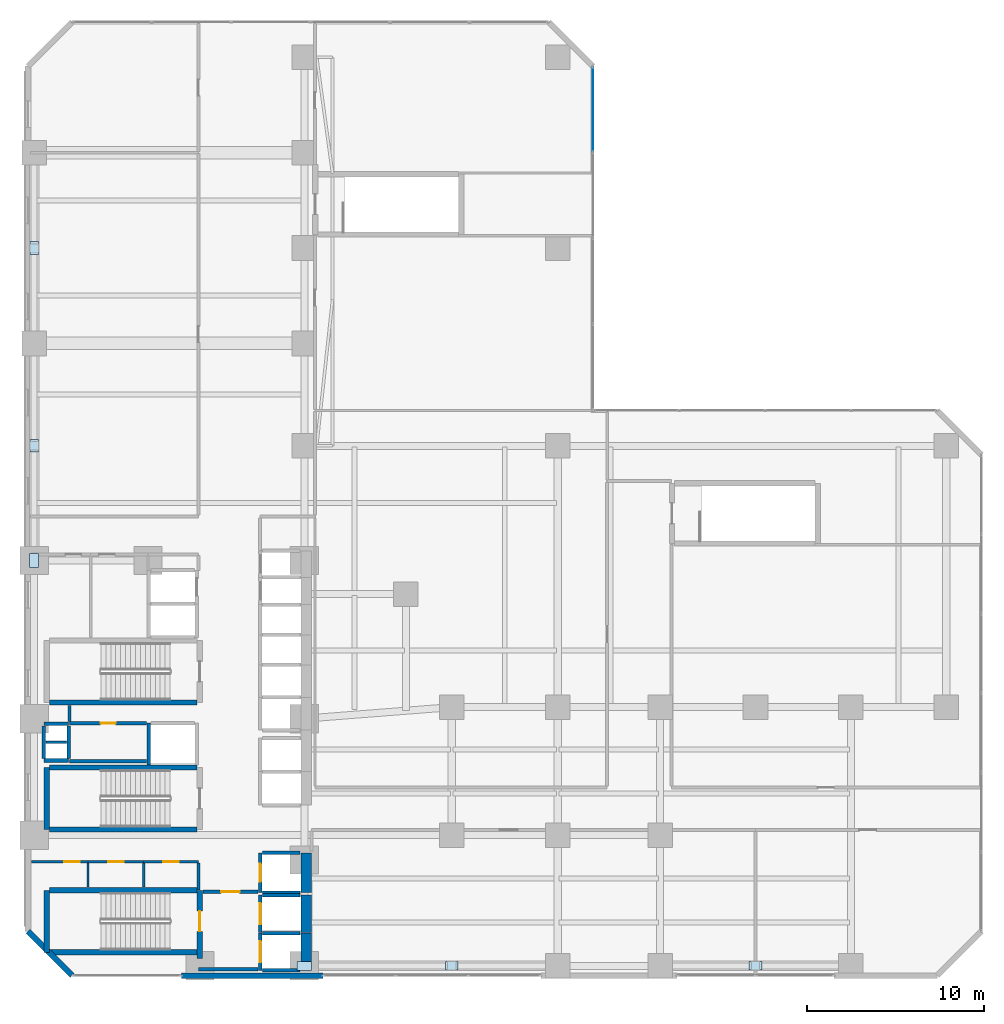
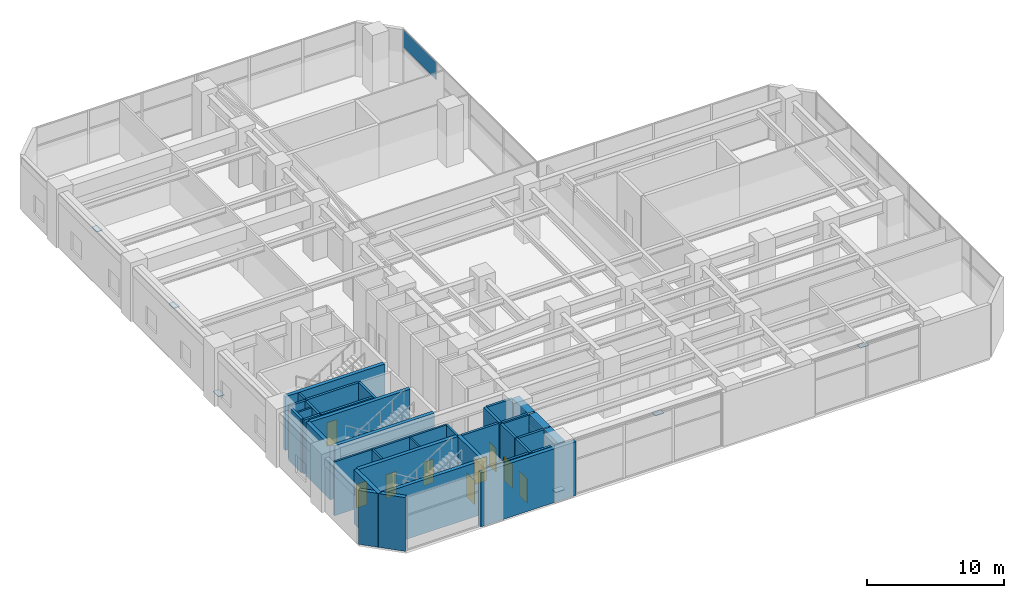
# One storey, part 22 of 29: 38 walls, 9 doors, 7 plates, 9 openings, 1 element without a shape of its own.
"""IFC4 building model written with IfcOpenShell, lengths in metres."""

from ifc_helpers import new_model, si_unit, direction, frame, frame_2d, origin, origin_2d, place, context, subcontext, project, spatial, rectangle, extrude, material, layer, layer_set, type_object, element, fill, aggregate, save


model = new_model("IFC4")

# Units and contexts
model_context = context("Model", 3, precision=1e-05, world=origin(), true_north=direction((0.0, 1.0)))
body_context = subcontext(model_context, "Body", "Model", "MODEL_VIEW")
ifc_project = project(units=[si_unit("LENGTHUNIT", "METRE"), si_unit("AREAUNIT", "SQUARE_METRE"), si_unit("VOLUMEUNIT", "CUBIC_METRE"), si_unit("PLANEANGLEUNIT", "RADIAN"), si_unit("MASSUNIT", "GRAM", prefix="KILO")], contexts=[model_context])

# Site, building, storey
site_placement = place(None, origin())
site = spatial("IfcSite", under=ifc_project, at=site_placement, CompositionType="ELEMENT")
building_placement = place(site_placement, origin())
building = spatial("IfcBuilding", under=site, at=building_placement, Name="Mawjaban Terraces University", CompositionType="ELEMENT")
storey_placement = place(building_placement, frame((0.0, 0.0, 20.800048828125)))
storey = spatial("IfcBuildingStorey", under=building, at=storey_placement, Name="L04", CompositionType="ELEMENT", Elevation=20.800048828125)

# Plates
ifc_material_1 = material(Name="Steel ASTM A572 Grade 50", Category="steel")
ifc_layer_1 = layer(ifc_material_1, 0.050048828125)
ifc_layer_set_1 = layer_set([ifc_layer_1], Name="Steel ASTM A572 Grade 50")
plate_type_1 = type_object("IfcPlateType", Name="OutriggerEmbedPlate_50", PredefinedType="USERDEFINED", material=ifc_layer_set_1)
for number, where, z_axis, x_axis, name in (
    (1, (37.64990234375, 0.550048828125, 0.4248046875), (0.0, 0.0, 1.0), (1.0, 0.0, 0.0), "L04 Portal Core Embed Plate TP-S1"),
    (2, (22.35009765625, 23.5, 0.4248046875), (0.0, 0.0, 1.0), (0.0, 1.0, 0.0), "L04 Portal Core Embed Plate TP-W1"),
):
    element("IfcPlate", number, at=place(storey_placement, frame(where, z_axis=z_axis, x_axis=x_axis)), inside=storey, type_object=plate_type_1, Name=name, ObjectType="GUSSET_PLATE", PredefinedType="USERDEFINED", context=body_context, shape_type="SweptSolid", body=[
        extrude(rectangle(XDim=0.800048828125, YDim=0.5, at=origin_2d()), origin(), (0.0, 0.0, 1.0), 0.050048828125),
    ])
ifc_layer_2 = layer(ifc_material_1, 0.0400390625)
ifc_layer_set_2 = layer_set([ifc_layer_2], Name="Steel ASTM A572 Grade 50")
plate_type_2 = type_object("IfcPlateType", Name="TransferGussetPlate_40", PredefinedType="USERDEFINED", material=ifc_layer_set_2)
for number, where, z_axis, x_axis, name in (
    (3, (46.0, 0.550048828125, 4.309814453125), (0.0, 0.0, 1.0), (1.0, 0.0, 0.0), "L04 Transfer Gusset Plate TP-S1"),
    (4, (63.199951171875, 0.550048828125, 4.309814453125), (0.0, 0.0, 1.0), (1.0, 0.0, 0.0), "L04 Transfer Gusset Plate TP-S2"),
    (5, (22.35009765625, 30.0, 4.309814453125), (0.0, 0.0, 1.0), (0.0, 1.0, 0.0), "L04 Transfer Gusset Plate TP-W1"),
    (6, (22.35009765625, 41.199951171875, 4.309814453125), (0.0, 0.0, 1.0), (0.0, 1.0, 0.0), "L04 Transfer Gusset Plate TP-W2"),
):
    element("IfcPlate", number, at=place(storey_placement, frame(where, z_axis=z_axis, x_axis=x_axis)), inside=storey, type_object=plate_type_2, Name=name, ObjectType="GUSSET_PLATE", PredefinedType="USERDEFINED", context=body_context, shape_type="SweptSolid", body=[
        extrude(rectangle(XDim=0.719970703125, YDim=0.47998046875, at=origin_2d()), origin(), (0.0, 0.0, 1.0), 0.0400390625),
    ])

# Curtain wall, plate
ifc_material_2 = material(Name="Anodised aluminium 6063-T6 and solar-control low-E glass", Category="aluminium")
ifc_layer_3 = layer(ifc_material_2, 0.175048828125)
ifc_layer_set_3 = layer_set([ifc_layer_3], Name="Anodised aluminium 6063-T6 and solar-control low-E glass")
curtain_wall_type = type_object("IfcCurtainWallType", Name="CWSystem_02_PodiumLibrary", PredefinedType="NOTDEFINED", material=ifc_layer_set_3)
curtain_wall_placement = place(storey_placement, origin())
curtain_wall = element("IfcCurtainWall", 7, at=curtain_wall_placement, inside=storey, type_object=curtain_wall_type, Name="L04 Curtain Wall CW-02 Run 6.1", PredefinedType="NOTDEFINED")
ifc_material_3 = material(Name="Low-E solar-control double glazing", Category="glass")
ifc_layer_4 = layer(ifc_material_3, 0.030029296875)
ifc_layer_set_4 = layer_set([ifc_layer_4], Name="Low-E solar-control double glazing")
plate_type_3 = type_object("IfcPlateType", Name="VisionPanel_CW-02", PredefinedType="CURTAIN_PANEL", material=ifc_layer_set_4)
plate_placement = place(storey_placement, frame((54.0, 49.046142578125, 3.136962890625), z_axis=(0.0, 0.0, 1.0), x_axis=(0.0, 1.0, 0.0)))
plate = element("IfcPlate", 8, at=plate_placement, type_object=plate_type_3, Name="CW-02 panel 4.2", PredefinedType="CURTAIN_PANEL", context=body_context, shape_type="SweptSolid", body=[
    extrude(rectangle(XDim=4.777587890625, YDim=0.028076171875, at=origin_2d()), origin(), (0.0, 0.0, 1.0), 1.5830078125),
])
aggregate(curtain_wall, [plate])

# Walls
ifc_material_4 = material(Name="Concrete C70/85", Category="concrete")
ifc_layer_5 = layer(ifc_material_4, 0.60009765625)
ifc_layer_set_5 = layer_set([ifc_layer_5], Name="Concrete C70/85")
wall_type_1 = type_object("IfcWallType", Name="CoreShearWall_600", PredefinedType="SHEAR", material=ifc_layer_set_5)
wall_1_placement = place(storey_placement, frame((37.75, 0.300048828125, 0.0), z_axis=(0.0, 0.0, 1.0), x_axis=(0.0, 1.0, 0.0)))
element("IfcWall", 9, at=wall_1_placement, inside=storey, type_object=wall_type_1, Name="L04 Lift FL-1 Hoistway Wall East", PredefinedType="SHEAR", context=body_context, shape_type="SweptSolid", body=[
    extrude(rectangle(XDim=2.099853515625, YDim=0.60009765625, at=frame_2d((1.0498046875, 0.0))), origin(), (0.0, 0.0, 1.0), 4.780029296875),
])
wall_2_placement = place(storey_placement, frame((37.75, 2.449951171875, 0.0), z_axis=(0.0, 0.0, 1.0), x_axis=(0.0, 1.0, 0.0)))
element("IfcWall", 10, at=wall_2_placement, inside=storey, type_object=wall_type_1, Name="L04 Lift FL-2 Hoistway Wall East", PredefinedType="SHEAR", context=body_context, shape_type="SweptSolid", body=[
    extrude(rectangle(XDim=2.10009765625, YDim=0.60009765625, at=frame_2d((1.050048828125, 0.0))), origin(), (0.0, 0.0, 1.0), 4.780029296875),
])
wall_3_placement = place(storey_placement, frame((37.75, 4.699951171875, 0.0), z_axis=(0.0, 0.0, 1.0), x_axis=(0.0, 1.0, 0.0)))
element("IfcWall", 11, at=wall_3_placement, inside=storey, type_object=wall_type_1, Name="L04 Lift SL-1 Hoistway Wall East", PredefinedType="SHEAR", context=body_context, shape_type="SweptSolid", body=[
    extrude(rectangle(XDim=2.25, YDim=0.60009765625, at=frame_2d((1.125, 0.0))), origin(), (0.0, 0.0, 1.0), 4.780029296875),
])

# Wall, opening, door
ifc_material_5 = material(Name="Fire-rated gypsum board on steel stud", Category="steel")
ifc_layer_6 = layer(ifc_material_5, 0.159912109375)
ifc_layer_set_6 = layer_set([ifc_layer_6], Name="Fire-rated gypsum board on steel stud")
wall_type_2 = type_object("IfcWallType", Name="CorridorPartition_160", PredefinedType="PARTITIONING", material=ifc_layer_set_6)
wall_4_placement = place(storey_placement, frame((22.199951171875, 6.449951171875, 0.0), z_axis=(0.0, 0.0, 1.0), x_axis=(1.0, 0.0, 0.0)))
wall_4 = element("IfcWall", 12, at=wall_4_placement, inside=storey, type_object=wall_type_2, Name="L04 Core Washroom Lobby Partition 1", PredefinedType="PARTITIONING", context=body_context, shape_type="SweptSolid", body=[
    extrude(rectangle(XDim=3.199951171875, YDim=0.159912109375, at=frame_2d((1.60009765625, 0.0))), origin(), (0.0, 0.0, 1.0), 4.780029296875),
])
opening_1_placement = place(wall_4_placement, frame((1.860107421875, 0.0, 0.0)))
opening_1 = element("IfcOpeningElement", 13, at=opening_1_placement, cuts=wall_4, Name="Opening ID-088", PredefinedType="OPENING", context=body_context, shape_type="SweptSolid", body=[
    extrude(rectangle(XDim=0.8798828125, YDim=2.10009765625, at=frame_2d((0.43994140625, 1.050048828125))), frame((0.0, 0.08984375, 0.0), z_axis=(0.0, -1.0, 0.0), x_axis=(1.0, 0.0, 0.0)), (0.0, 0.0, 1.0), 0.179931640625),
])
ifc_material_6 = material(Name="Powder-coated steel frame and solid acoustic timber leaf", Category="steel")
door_type_1 = type_object("IfcDoorType", Name="ToiletDoor_880x2100", OperationType="NOTDEFINED", PredefinedType="DOOR", material=ifc_material_6)
door_1_placement = place(opening_1_placement, origin())
door_1 = element("IfcDoor", 14, at=door_1_placement, inside=storey, type_object=door_type_1, Name="L04 Male Toilet Door", OperationType="SINGLE_SWING_LEFT", OverallHeight=2.10009765625, OverallWidth=0.8798828125, PredefinedType="DOOR", context=body_context, shape_type="SweptSolid", body=[
    extrude(rectangle(XDim=0.8798828125, YDim=2.10009765625, at=frame_2d((0.43994140625, 1.050048828125))), frame((0.0, 0.02490234375, 0.0), z_axis=(0.0, -1.0, 0.0), x_axis=(1.0, 0.0, 0.0)), (0.0, 0.0, 1.0), 0.050048828125),
])
fill(opening_1, door_1)

wall_5_placement = place(storey_placement, frame((25.39990234375, 6.449951171875, 0.0), z_axis=(0.0, 0.0, 1.0), x_axis=(1.0, 0.0, 0.0)))
wall_5 = element("IfcWall", 15, at=wall_5_placement, inside=storey, type_object=wall_type_2, Name="L04 Core Washroom Lobby Partition 4", PredefinedType="PARTITIONING", context=body_context, shape_type="SweptSolid", body=[
    extrude(rectangle(XDim=3.150146484375, YDim=0.159912109375, at=frame_2d((1.5751953125, 0.0))), origin(), (0.0, 0.0, 1.0), 4.780029296875),
])
opening_2_placement = place(wall_5_placement, frame((1.135009765625, 0.0, 0.0)))
opening_2 = element("IfcOpeningElement", 16, at=opening_2_placement, cuts=wall_5, Name="Opening ID-088", PredefinedType="OPENING", context=body_context, shape_type="SweptSolid", body=[
    extrude(rectangle(XDim=0.8798828125, YDim=2.10009765625, at=frame_2d((0.43994140625, 1.050048828125))), frame((0.0, 0.08984375, 0.0), z_axis=(0.0, -1.0, 0.0), x_axis=(1.0, 0.0, 0.0)), (0.0, 0.0, 1.0), 0.179931640625),
])
door_2_placement = place(opening_2_placement, origin())
door_2 = element("IfcDoor", 17, at=door_2_placement, inside=storey, type_object=door_type_1, Name="L04 Female Toilet Door", OperationType="SINGLE_SWING_RIGHT", OverallHeight=2.10009765625, OverallWidth=0.8798828125, PredefinedType="DOOR", context=body_context, shape_type="SweptSolid", body=[
    extrude(rectangle(XDim=0.8798828125, YDim=2.10009765625, at=frame_2d((0.43994140625, 1.050048828125))), frame((0.0, 0.02490234375, 0.0), z_axis=(0.0, -1.0, 0.0), x_axis=(1.0, 0.0, 0.0)), (0.0, 0.0, 1.0), 0.050048828125),
])
fill(opening_2, door_2)

wall_6_placement = place(storey_placement, frame((28.550048828125, 6.449951171875, 0.0), z_axis=(0.0, 0.0, 1.0), x_axis=(1.0, 0.0, 0.0)))
wall_6 = element("IfcWall", 18, at=wall_6_placement, inside=storey, type_object=wall_type_2, Name="L04 Core Washroom Lobby Partition 6", PredefinedType="PARTITIONING", context=body_context, shape_type="SweptSolid", body=[
    extrude(rectangle(XDim=3.099853515625, YDim=0.159912109375, at=frame_2d((1.5498046875, 0.0))), origin(), (0.0, 0.0, 1.0), 4.780029296875),
])
opening_3_placement = place(wall_6_placement, frame((1.110107421875, 0.0, 0.0)))
opening_3 = element("IfcOpeningElement", 19, at=opening_3_placement, cuts=wall_6, Name="Opening ID-088", PredefinedType="OPENING", context=body_context, shape_type="SweptSolid", body=[
    extrude(rectangle(XDim=0.8798828125, YDim=2.10009765625, at=frame_2d((0.43994140625, 1.050048828125))), frame((0.0, 0.08984375, 0.0), z_axis=(0.0, -1.0, 0.0), x_axis=(1.0, 0.0, 0.0)), (0.0, 0.0, 1.0), 0.179931640625),
])
door_3_placement = place(opening_3_placement, origin())
door_3 = element("IfcDoor", 20, at=door_3_placement, inside=storey, type_object=door_type_1, Name="L04 Accessible Toilet Door", OperationType="SINGLE_SWING_LEFT", OverallHeight=2.10009765625, OverallWidth=0.8798828125, PredefinedType="DOOR", context=body_context, shape_type="SweptSolid", body=[
    extrude(rectangle(XDim=0.8798828125, YDim=2.10009765625, at=frame_2d((0.43994140625, 1.050048828125))), frame((0.0, 0.02490234375, 0.0), z_axis=(0.0, -1.0, 0.0), x_axis=(1.0, 0.0, 0.0)), (0.0, 0.0, 1.0), 0.050048828125),
])
fill(opening_3, door_3)

# Walls
wall_7_placement = place(storey_placement, frame((24.35009765625, 15.2900390625, 0.0), z_axis=(0.0, 0.0, 1.0), x_axis=(0.0, -1.0, 0.0)))
element("IfcWall", 21, at=wall_7_placement, inside=storey, type_object=wall_type_2, Name="L04 Core Riser Access Passage Partition 23", PredefinedType="PARTITIONING", context=body_context, shape_type="SweptSolid", body=[
    extrude(rectangle(XDim=0.89501953125, YDim=0.159912109375, at=frame_2d((0.447509765625, 0.0))), origin(), (0.0, 0.0, 1.0), 4.780029296875),
])
wall_8_placement = place(storey_placement, frame((31.64990234375, 4.860107421875, 0.0), z_axis=(0.0, 0.0, 1.0), x_axis=(0.0, 1.0, 0.0)))
element("IfcWall", 22, at=wall_8_placement, inside=storey, type_object=wall_type_2, Name="L04 Accessible Toilet Partition 28", PredefinedType="PARTITIONING", context=body_context, shape_type="SweptSolid", body=[
    extrude(rectangle(XDim=1.514892578125, YDim=0.159912109375, at=frame_2d((0.75732421875, 0.0))), origin(), (0.0, 0.0, 1.0), 4.780029296875),
])
ifc_material_7 = material(Name="Insulated terracotta rainscreen on concrete backup C40/50", Category="masonry")
ifc_layer_7 = layer(ifc_material_7, 0.320068359375)
ifc_layer_set_7 = layer_set([ifc_layer_7], Name="Insulated terracotta rainscreen on concrete backup C40/50")
wall_type_3 = type_object("IfcWallType", Name="ExtTerracottaWall_320", PredefinedType="SOLIDWALL", material=ifc_layer_set_7)
wall_9_placement = place(storey_placement, frame((30.699951171875, 0.0, 0.0), z_axis=(0.0, 0.0, 1.0), x_axis=(1.0, 0.0, 0.0)))
element("IfcWall", 23, at=wall_9_placement, inside=storey, type_object=wall_type_3, Name="L04 Exterior Terracotta Pier Wall 1.1", PredefinedType="SOLIDWALL", context=body_context, shape_type="SweptSolid", body=[
    extrude(rectangle(XDim=8.0, YDim=0.320068359375, at=frame_2d((4.0, 0.0))), origin(), (0.0, 0.0, 1.0), 4.780029296875),
])
wall_10_placement = place(storey_placement, frame((22.0, 2.5, 0.0), z_axis=(0.0, 0.0, 1.0), x_axis=(0.707106781187, -0.707106781187, 0.0)))
element("IfcWall", 24, at=wall_10_placement, inside=storey, type_object=wall_type_3, Name="L04 Exterior Terracotta Wall 11", PredefinedType="SOLIDWALL", context=body_context, shape_type="SweptSolid", body=[
    extrude(rectangle(XDim=3.53564453125, YDim=0.320068359375, at=frame_2d((1.767822265625, 0.0))), origin(), (0.0, 0.0, 1.0), 4.780029296875),
])

# Wall, opening, door
ifc_material_8 = material(Name="Concrete C40/50", Category="concrete")
ifc_layer_8 = layer(ifc_material_8, 0.199951171875)
ifc_layer_set_8 = layer_set([ifc_layer_8], Name="Concrete C40/50")
wall_type_4 = type_object("IfcWallType", Name="FireLobbyWall_200", PredefinedType="SOLIDWALL", material=ifc_layer_set_8)
wall_11_placement = place(storey_placement, frame((35.14990234375, 2.39990234375, 0.0), z_axis=(0.0, 0.0, 1.0), x_axis=(0.0, -1.0, 0.0)))
wall_11 = element("IfcWall", 25, at=wall_11_placement, inside=storey, type_object=wall_type_4, Name="L04 Lift FL-1 Hoistway Wall West", PredefinedType="SOLIDWALL", context=body_context, shape_type="SweptSolid", body=[
    extrude(rectangle(XDim=2.099853515625, YDim=0.199951171875, at=frame_2d((1.0498046875, 0.0))), origin(), (0.0, 0.0, 1.0), 4.780029296875),
])
opening_4_placement = place(wall_11_placement, frame((0.449951171875, 0.0, 0.0)))
opening_4 = element("IfcOpeningElement", 26, at=opening_4_placement, cuts=wall_11, Name="Opening LD-FL-1", PredefinedType="OPENING", context=body_context, shape_type="SweptSolid", body=[
    extrude(rectangle(XDim=1.199951171875, YDim=2.14990234375, at=frame_2d((0.60009765625, 1.074951171875))), frame((0.0, 0.10986328125, 0.0), z_axis=(0.0, -1.0, 0.0), x_axis=(1.0, 0.0, 0.0)), (0.0, 0.0, 1.0), 0.219970703125),
])
ifc_material_9 = material(Name="Powder-coated steel frame and fire-rated steel-faced leaf", Category="steel")
door_type_2 = type_object("IfcDoorType", Name="LiftLandingFSAE_1200x2150", OperationType="NOTDEFINED", PredefinedType="DOOR", material=ifc_material_9)
door_4_placement = place(opening_4_placement, origin())
door_4 = element("IfcDoor", 27, at=door_4_placement, inside=storey, type_object=door_type_2, Name="L04 Lift FL-1 Sliding Landing Door", OperationType="DOUBLE_DOOR_SLIDING", OverallHeight=2.14990234375, OverallWidth=1.199951171875, PredefinedType="DOOR", context=body_context, shape_type="SweptSolid", body=[
    extrude(rectangle(XDim=1.199951171875, YDim=2.14990234375, at=frame_2d((0.60009765625, 1.074951171875))), frame((0.0, 0.02490234375, 0.0), z_axis=(0.0, -1.0, 0.0), x_axis=(1.0, 0.0, 0.0)), (0.0, 0.0, 1.0), 0.050048828125),
])
fill(opening_4, door_4)

# Walls
for number, where, z_axis, x_axis, name in (
    (28, (35.280029296875, 0.300048828125, 0.0), (0.0, 0.0, 1.0), (1.0, 0.0, 0.0), "L04 Lift FL-1 Hoistway Wall South"),
    (29, (37.419921875, 2.39990234375, 0.0), (0.0, 0.0, 1.0), (-1.0, 0.0, 0.0), "L04 Lift FL-1 Hoistway Wall North"),
):
    element("IfcWall", number, at=place(storey_placement, frame(where, z_axis=z_axis, x_axis=x_axis)), inside=storey, type_object=wall_type_4, Name=name, PredefinedType="SOLIDWALL", context=body_context, shape_type="SweptSolid", body=[
        extrude(rectangle(XDim=2.139892578125, YDim=0.199951171875, at=frame_2d((1.06982421875, 0.0))), origin(), (0.0, 0.0, 1.0), 4.780029296875),
    ])

# Wall, opening, door
wall_12_placement = place(storey_placement, frame((35.14990234375, 4.550048828125, 0.0), z_axis=(0.0, 0.0, 1.0), x_axis=(0.0, -1.0, 0.0)))
wall_12 = element("IfcWall", 30, at=wall_12_placement, inside=storey, type_object=wall_type_4, Name="L04 Lift FL-2 Hoistway Wall West", PredefinedType="SOLIDWALL", context=body_context, shape_type="SweptSolid", body=[
    extrude(rectangle(XDim=2.10009765625, YDim=0.199951171875, at=frame_2d((1.050048828125, 0.0))), origin(), (0.0, 0.0, 1.0), 4.780029296875),
])
opening_5_placement = place(wall_12_placement, frame((0.449951171875, 0.0, 0.0)))
opening_5 = element("IfcOpeningElement", 31, at=opening_5_placement, cuts=wall_12, Name="Opening LD-FL-2", PredefinedType="OPENING", context=body_context, shape_type="SweptSolid", body=[
    extrude(rectangle(XDim=1.199951171875, YDim=2.14990234375, at=frame_2d((0.60009765625, 1.074951171875))), frame((0.0, 0.10986328125, 0.0), z_axis=(0.0, -1.0, 0.0), x_axis=(1.0, 0.0, 0.0)), (0.0, 0.0, 1.0), 0.219970703125),
])
door_5_placement = place(opening_5_placement, origin())
door_5 = element("IfcDoor", 32, at=door_5_placement, inside=storey, type_object=door_type_2, Name="L04 Lift FL-2 Sliding Landing Door", OperationType="DOUBLE_DOOR_SLIDING", OverallHeight=2.14990234375, OverallWidth=1.199951171875, PredefinedType="DOOR", context=body_context, shape_type="SweptSolid", body=[
    extrude(rectangle(XDim=1.199951171875, YDim=2.14990234375, at=frame_2d((0.60009765625, 1.074951171875))), frame((0.0, 0.02490234375, 0.0), z_axis=(0.0, -1.0, 0.0), x_axis=(1.0, 0.0, 0.0)), (0.0, 0.0, 1.0), 0.050048828125),
])
fill(opening_5, door_5)

# Wall
wall_13_placement = place(storey_placement, frame((37.419921875, 4.550048828125, 0.0), z_axis=(0.0, 0.0, 1.0), x_axis=(-1.0, 0.0, 0.0)))
element("IfcWall", 33, at=wall_13_placement, inside=storey, type_object=wall_type_4, Name="L04 Lift FL-2 Hoistway Wall North", PredefinedType="SOLIDWALL", context=body_context, shape_type="SweptSolid", body=[
    extrude(rectangle(XDim=2.139892578125, YDim=0.199951171875, at=frame_2d((1.06982421875, 0.0))), origin(), (0.0, 0.0, 1.0), 4.780029296875),
])

# Wall, opening, door
wall_14_placement = place(storey_placement, frame((35.14990234375, 6.949951171875, 0.0), z_axis=(0.0, 0.0, 1.0), x_axis=(0.0, -1.0, 0.0)))
wall_14 = element("IfcWall", 34, at=wall_14_placement, inside=storey, type_object=wall_type_4, Name="L04 Lift SL-1 Hoistway Wall West", PredefinedType="SOLIDWALL", context=body_context, shape_type="SweptSolid", body=[
    extrude(rectangle(XDim=2.25, YDim=0.199951171875, at=frame_2d((1.125, 0.0))), origin(), (0.0, 0.0, 1.0), 4.780029296875),
])
opening_6_placement = place(wall_14_placement, frame((0.625, 0.0, 0.0)))
opening_6 = element("IfcOpeningElement", 35, at=opening_6_placement, cuts=wall_14, Name="Opening LD-SL-1", PredefinedType="OPENING", context=body_context, shape_type="SweptSolid", body=[
    extrude(rectangle(XDim=1.0, YDim=2.10009765625, at=frame_2d((0.5, 1.050048828125))), frame((0.0, 0.10986328125, 0.0), z_axis=(0.0, -1.0, 0.0), x_axis=(1.0, 0.0, 0.0)), (0.0, 0.0, 1.0), 0.219970703125),
])
door_type_3 = type_object("IfcDoorType", Name="LiftLandingSliding_1000x2100", OperationType="NOTDEFINED", PredefinedType="DOOR", material=ifc_material_9)
door_6_placement = place(opening_6_placement, origin())
door_6 = element("IfcDoor", 36, at=door_6_placement, inside=storey, type_object=door_type_3, Name="L04 Lift SL-1 Sliding Landing Door", OperationType="DOUBLE_DOOR_SLIDING", OverallHeight=2.10009765625, OverallWidth=1.0, PredefinedType="DOOR", context=body_context, shape_type="SweptSolid", body=[
    extrude(rectangle(XDim=1.0, YDim=2.10009765625, at=frame_2d((0.5, 1.050048828125))), frame((0.0, 0.02490234375, 0.0), z_axis=(0.0, -1.0, 0.0), x_axis=(1.0, 0.0, 0.0)), (0.0, 0.0, 1.0), 0.050048828125),
])
fill(opening_6, door_6)

# Walls
for number, where, z_axis, x_axis, name in (
    (37, (35.280029296875, 4.699951171875, 0.0), (0.0, 0.0, 1.0), (1.0, 0.0, 0.0), "L04 Lift SL-1 Hoistway Wall South"),
    (38, (37.419921875, 6.949951171875, 0.0), (0.0, 0.0, 1.0), (-1.0, 0.0, 0.0), "L04 Lift SL-1 Hoistway Wall North"),
):
    element("IfcWall", number, at=place(storey_placement, frame(where, z_axis=z_axis, x_axis=x_axis)), inside=storey, type_object=wall_type_4, Name=name, PredefinedType="SOLIDWALL", context=body_context, shape_type="SweptSolid", body=[
        extrude(rectangle(XDim=2.139892578125, YDim=0.199951171875, at=frame_2d((1.06982421875, 0.0))), origin(), (0.0, 0.0, 1.0), 4.780029296875),
    ])
wall_15_placement = place(storey_placement, frame((28.85009765625, 14.300048828125, 0.0), z_axis=(0.0, 0.0, 1.0), x_axis=(0.0, -1.0, 0.0)))
element("IfcWall", 39, at=wall_15_placement, inside=storey, type_object=wall_type_4, Name="L04 Lift PL-H3 Hoistway Wall West", PredefinedType="SOLIDWALL", context=body_context, shape_type="SweptSolid", body=[
    extrude(rectangle(XDim=2.3701171875, YDim=0.199951171875, at=frame_2d((1.18505859375, 0.0))), origin(), (0.0, 0.0, 1.0), 4.780029296875),
])
for number, where, z_axis, x_axis, name in (
    (40, (22.89990234375, 14.25, 0.0), (0.0, 0.0, 1.0), (1.0, 0.0, 0.0), "L04 MEP Riser Shaft Wall N"),
    (41, (22.89990234375, 12.179931640625, 0.0), (0.0, 0.0, 1.0), (1.0, 0.0, 0.0), "L04 MEP Riser Shaft Wall S"),
):
    element("IfcWall", number, at=place(storey_placement, frame(where, z_axis=z_axis, x_axis=x_axis)), inside=storey, type_object=wall_type_4, Name=name, PredefinedType="SOLIDWALL", context=body_context, shape_type="SweptSolid", body=[
        extrude(rectangle(XDim=1.400146484375, YDim=0.199951171875, at=frame_2d((0.7001953125, 0.0))), origin(), (0.0, 0.0, 1.0), 4.780029296875),
    ])
for number, where, z_axis, x_axis, name in (
    (42, (24.300048828125, 12.300048828125, 0.0), (0.0, 0.0, 1.0), (0.0, 1.0, 0.0), "L04 MEP Riser Shaft Wall E"),
    (43, (22.89990234375, 12.300048828125, 0.0), (0.0, 0.0, 1.0), (0.0, 1.0, 0.0), "L04 MEP Riser Shaft Wall W"),
):
    element("IfcWall", number, at=place(storey_placement, frame(where, z_axis=z_axis, x_axis=x_axis)), inside=storey, type_object=wall_type_4, Name=name, PredefinedType="SOLIDWALL", context=body_context, shape_type="SweptSolid", body=[
        extrude(rectangle(XDim=1.829833984375, YDim=0.199951171875, at=frame_2d((0.9150390625, 0.0))), origin(), (0.0, 0.0, 1.0), 4.780029296875),
    ])
wall_16_placement = place(storey_placement, frame((24.35009765625, 12.14990234375, 0.0), z_axis=(0.0, 0.0, 1.0), x_axis=(1.0, 0.0, 0.0)))
element("IfcWall", 44, at=wall_16_placement, inside=storey, type_object=wall_type_4, Name="L04 IT and Telecoms Riser Room Partition 2", PredefinedType="SOLIDWALL", context=body_context, shape_type="SweptSolid", body=[
    extrude(rectangle(XDim=4.369873046875, YDim=0.199951171875, at=frame_2d((2.18505859375, 0.0))), origin(), (0.0, 0.0, 1.0), 4.780029296875),
])

# Wall, opening, door
wall_17_placement = place(storey_placement, frame((24.35009765625, 14.300048828125, 0.0), z_axis=(0.0, 0.0, 1.0), x_axis=(1.0, 0.0, 0.0)))
wall_17 = element("IfcWall", 45, at=wall_17_placement, inside=storey, type_object=wall_type_4, Name="L04 Core Riser Access Passage Partition 3", PredefinedType="SOLIDWALL", context=body_context, shape_type="SweptSolid", body=[
    extrude(rectangle(XDim=4.369873046875, YDim=0.199951171875, at=frame_2d((2.18505859375, 0.0))), origin(), (0.0, 0.0, 1.0), 4.780029296875),
])
opening_7_placement = place(wall_17_placement, frame((1.760009765625, 0.0, 0.0)))
opening_7 = element("IfcOpeningElement", 46, at=opening_7_placement, cuts=wall_17, Name="Opening FD-085", PredefinedType="OPENING", context=body_context, shape_type="SweptSolid", body=[
    extrude(rectangle(XDim=0.85009765625, YDim=2.10009765625, at=frame_2d((0.425048828125, 1.050048828125))), frame((0.0, 0.10986328125, 0.0), z_axis=(0.0, -1.0, 0.0), x_axis=(1.0, 0.0, 0.0)), (0.0, 0.0, 1.0), 0.219970703125),
])
door_type_4 = type_object("IfcDoorType", Name="FireRiserDoor_850x2100", OperationType="NOTDEFINED", PredefinedType="DOOR", material=ifc_material_9)
door_7_placement = place(opening_7_placement, origin())
door_7 = element("IfcDoor", 47, at=door_7_placement, inside=storey, type_object=door_type_4, Name="L04 IT and Telecoms Riser Room Door", OperationType="SINGLE_SWING_RIGHT", OverallHeight=2.10009765625, OverallWidth=0.85009765625, PredefinedType="DOOR", context=body_context, shape_type="SweptSolid", body=[
    extrude(rectangle(XDim=0.85009765625, YDim=2.10009765625, at=frame_2d((0.425048828125, 1.050048828125))), frame((0.0, 0.02490234375, 0.0), z_axis=(0.0, -1.0, 0.0), x_axis=(1.0, 0.0, 0.0)), (0.0, 0.0, 1.0), 0.050048828125),
])
fill(opening_7, door_7)

# Wall
wall_18_placement = place(storey_placement, frame((31.64990234375, 0.35009765625, 0.0), z_axis=(0.0, 0.0, 1.0), x_axis=(1.0, 0.0, 0.0)))
element("IfcWall", 48, at=wall_18_placement, inside=storey, type_object=wall_type_4, Name="L04 Firefighting Lift Lobby Partition 9", PredefinedType="SOLIDWALL", context=body_context, shape_type="SweptSolid", body=[
    extrude(rectangle(XDim=3.3701171875, YDim=0.199951171875, at=frame_2d((1.68505859375, 0.0))), origin(), (0.0, 0.0, 1.0), 4.780029296875),
])

# Wall, opening, door
wall_19_placement = place(storey_placement, frame((35.02001953125, 4.75, 0.0), z_axis=(0.0, 0.0, 1.0), x_axis=(-1.0, 0.0, 0.0)))
wall_19 = element("IfcWall", 49, at=wall_19_placement, inside=storey, type_object=wall_type_4, Name="L04 Firefighting Lift Lobby Partition 12", PredefinedType="SOLIDWALL", context=body_context, shape_type="SweptSolid", body=[
    extrude(rectangle(XDim=3.110107421875, YDim=0.199951171875, at=frame_2d((1.55517578125, 0.0))), origin(), (0.0, 0.0, 1.0), 4.780029296875),
])
opening_8_placement = place(wall_19_placement, frame((1.030029296875, 0.0, 0.0)))
opening_8 = element("IfcOpeningElement", 50, at=opening_8_placement, cuts=wall_19, Name="Opening FD-105", PredefinedType="OPENING", context=body_context, shape_type="SweptSolid", body=[
    extrude(rectangle(XDim=1.050048828125, YDim=2.14990234375, at=frame_2d((0.52490234375, 1.074951171875))), frame((0.0, 0.10986328125, 0.0), z_axis=(0.0, -1.0, 0.0), x_axis=(1.0, 0.0, 0.0)), (0.0, 0.0, 1.0), 0.219970703125),
])
door_type_5 = type_object("IfcDoorType", Name="FireLobbyDoor_1050x2150", OperationType="NOTDEFINED", PredefinedType="DOOR", material=ifc_material_9)
door_8_placement = place(opening_8_placement, origin())
door_8 = element("IfcDoor", 51, at=door_8_placement, inside=storey, type_object=door_type_5, Name="L04 Firefighting Lift Lobby Door", OperationType="SINGLE_SWING_RIGHT", OverallHeight=2.14990234375, OverallWidth=1.050048828125, PredefinedType="DOOR", context=body_context, shape_type="SweptSolid", body=[
    extrude(rectangle(XDim=1.050048828125, YDim=2.14990234375, at=frame_2d((0.52490234375, 1.074951171875))), frame((0.0, 0.02490234375, 0.0), z_axis=(0.0, -1.0, 0.0), x_axis=(1.0, 0.0, 0.0)), (0.0, 0.0, 1.0), 0.050048828125),
])
fill(opening_8, door_8)

# Walls
ifc_material_10 = material(Name="Moisture-resistant gypsum board on steel stud", Category="steel")
ifc_layer_9 = layer(ifc_material_10, 0.14501953125)
ifc_layer_set_9 = layer_set([ifc_layer_9], Name="Moisture-resistant gypsum board on steel stud")
wall_type_5 = type_object("IfcWallType", Name="LabPartition_145", PredefinedType="PARTITIONING", material=ifc_layer_set_9)
wall_20_placement = place(storey_placement, frame((23.010009765625, 13.22509765625, 0.0), z_axis=(0.0, 0.0, 1.0), x_axis=(1.0, 0.0, 0.0)))
element("IfcWall", 52, at=wall_20_placement, inside=storey, type_object=wall_type_5, Name="L04 MEP Riser Shaft Wall M", PredefinedType="PARTITIONING", context=body_context, shape_type="SweptSolid", body=[
    extrude(rectangle(XDim=1.179931640625, YDim=0.14501953125, at=frame_2d((0.58984375, 0.0))), origin(), (0.0, 0.0, 1.0), 4.780029296875),
])
ifc_material_11 = material(Name="Concrete C60/75", Category="concrete")
ifc_layer_10 = layer(ifc_material_11, 0.300048828125)
ifc_layer_set_10 = layer_set([ifc_layer_10], Name="Concrete C60/75")
wall_type_6 = type_object("IfcWallType", Name="StairShaftWall_300", PredefinedType="SHEAR", material=ifc_layer_set_10)
wall_21_placement = place(storey_placement, frame((31.580078125, 4.830078125, 0.0), z_axis=(0.0, 0.0, 1.0), x_axis=(-1.0, 0.0, 0.0)))
element("IfcWall", 53, at=wall_21_placement, inside=storey, type_object=wall_type_6, Name="L04 ST-1 Stair Shaft Wall 1", PredefinedType="SHEAR", context=body_context, shape_type="SweptSolid", body=[
    extrude(rectangle(XDim=8.360107421875, YDim=0.300048828125, at=frame_2d((4.18017578125, 0.0))), origin(), (0.0, 0.0, 1.0), 4.780029296875),
])
wall_22_placement = place(storey_placement, frame((23.070068359375, 4.830078125, 0.0), z_axis=(0.0, 0.0, 1.0), x_axis=(0.0, -1.0, 0.0)))
element("IfcWall", 54, at=wall_22_placement, inside=storey, type_object=wall_type_6, Name="L04 ST-1 Stair Shaft Wall 2", PredefinedType="SHEAR", context=body_context, shape_type="SweptSolid", body=[
    extrude(rectangle(XDim=3.510009765625, YDim=0.300048828125, at=frame_2d((1.7548828125, 0.0))), origin(), (0.0, 0.0, 1.0), 4.780029296875),
])
wall_23_placement = place(storey_placement, frame((23.219970703125, 1.320068359375, 0.0), z_axis=(0.0, 0.0, 1.0), x_axis=(1.0, 0.0, 0.0)))
element("IfcWall", 55, at=wall_23_placement, inside=storey, type_object=wall_type_6, Name="L04 ST-1 Stair Shaft Wall 3", PredefinedType="SHEAR", context=body_context, shape_type="SweptSolid", body=[
    extrude(rectangle(XDim=8.360107421875, YDim=0.300048828125, at=frame_2d((4.18017578125, 0.0))), origin(), (0.0, 0.0, 1.0), 4.780029296875),
])

# Wall, opening, door
wall_24_placement = place(storey_placement, frame((31.72998046875, 0.9599609375, 0.0), z_axis=(0.0, 0.0, 1.0), x_axis=(0.0, 1.0, 0.0)))
wall_24 = element("IfcWall", 56, at=wall_24_placement, inside=storey, type_object=wall_type_6, Name="L04 ST-1 Stair Shaft Wall 4", PredefinedType="SHEAR", context=body_context, shape_type="SweptSolid", body=[
    extrude(rectangle(XDim=3.8701171875, YDim=0.300048828125, at=frame_2d((1.93505859375, 0.0))), origin(), (0.0, 0.0, 1.0), 4.780029296875),
])
opening_9_placement = place(wall_24_placement, frame((1.5400390625, 0.0, 0.0)))
opening_9 = element("IfcOpeningElement", 57, at=opening_9_placement, cuts=wall_24, Name="Opening FD-115", PredefinedType="OPENING", context=body_context, shape_type="SweptSolid", body=[
    extrude(rectangle(XDim=1.14990234375, YDim=2.14990234375, at=frame_2d((0.574951171875, 1.074951171875))), frame((0.0, 0.159912109375, 0.0), z_axis=(0.0, -1.0, 0.0), x_axis=(1.0, 0.0, 0.0)), (0.0, 0.0, 1.0), 0.320068359375),
])
door_type_6 = type_object("IfcDoorType", Name="FireStairDoor_1150x2150", OperationType="NOTDEFINED", PredefinedType="DOOR", material=ifc_material_9)
door_9_placement = place(opening_9_placement, origin())
door_9 = element("IfcDoor", 58, at=door_9_placement, inside=storey, type_object=door_type_6, Name="L04 ST-1 Pressurised Stair Fire Door", OperationType="SINGLE_SWING_LEFT", OverallHeight=2.14990234375, OverallWidth=1.14990234375, PredefinedType="DOOR", context=body_context, shape_type="SweptSolid", body=[
    extrude(rectangle(XDim=1.14990234375, YDim=2.14990234375, at=frame_2d((0.574951171875, 1.074951171875))), frame((0.0, 0.02490234375, 0.0), z_axis=(0.0, -1.0, 0.0), x_axis=(1.0, 0.0, 0.0)), (0.0, 0.0, 1.0), 0.050048828125),
])
fill(opening_9, door_9)

# Walls
for number, where, z_axis, x_axis, name in (
    (59, (23.219970703125, 15.469970703125, 0.0), (0.0, 0.0, 1.0), (1.0, 0.0, 0.0), "L04 ST-2 Stair Shaft Wall 3"),
    (60, (31.580078125, 11.780029296875, 0.0), (0.0, 0.0, 1.0), (-1.0, 0.0, 0.0), "L04 ST-3 Stair Shaft Wall 1"),
):
    element("IfcWall", number, at=place(storey_placement, frame(where, z_axis=z_axis, x_axis=x_axis)), inside=storey, type_object=wall_type_6, Name=name, PredefinedType="SHEAR", context=body_context, shape_type="SweptSolid", body=[
        extrude(rectangle(XDim=8.360107421875, YDim=0.300048828125, at=frame_2d((4.18017578125, 0.0))), origin(), (0.0, 0.0, 1.0), 4.780029296875),
    ])
wall_25_placement = place(storey_placement, frame((23.070068359375, 11.780029296875, 0.0), z_axis=(0.0, 0.0, 1.0), x_axis=(0.0, -1.0, 0.0)))
element("IfcWall", 61, at=wall_25_placement, inside=storey, type_object=wall_type_6, Name="L04 ST-3 Stair Shaft Wall 2", PredefinedType="SHEAR", context=body_context, shape_type="SweptSolid", body=[
    extrude(rectangle(XDim=3.510009765625, YDim=0.300048828125, at=frame_2d((1.7548828125, 0.0))), origin(), (0.0, 0.0, 1.0), 4.780029296875),
])
wall_26_placement = place(storey_placement, frame((23.219970703125, 8.27001953125, 0.0), z_axis=(0.0, 0.0, 1.0), x_axis=(1.0, 0.0, 0.0)))
element("IfcWall", 62, at=wall_26_placement, inside=storey, type_object=wall_type_6, Name="L04 ST-3 Stair Shaft Wall 3", PredefinedType="SHEAR", context=body_context, shape_type="SweptSolid", body=[
    extrude(rectangle(XDim=8.360107421875, YDim=0.300048828125, at=frame_2d((4.18017578125, 0.0))), origin(), (0.0, 0.0, 1.0), 4.780029296875),
])
ifc_material_12 = material(Name="Cement-board wet-room partition", Category="masonry")
ifc_layer_11 = layer(ifc_material_12, 0.135009765625)
ifc_layer_set_11 = layer_set([ifc_layer_11], Name="Cement-board wet-room partition")
wall_type_7 = type_object("IfcWallType", Name="WetRoomPartition_135", PredefinedType="PARTITIONING", material=ifc_layer_set_11)
for number, where, z_axis, x_axis, name in (
    (63, (25.39990234375, 5.010009765625, 0.0), (0.0, 0.0, 1.0), (0.0, 1.0, 0.0), "L04 Male Toilet Partition 24"),
    (64, (28.550048828125, 5.010009765625, 0.0), (0.0, 0.0, 1.0), (0.0, 1.0, 0.0), "L04 Female Toilet Partition 26"),
):
    element("IfcWall", number, at=place(storey_placement, frame(where, z_axis=z_axis, x_axis=x_axis)), inside=storey, type_object=wall_type_7, Name=name, PredefinedType="PARTITIONING", context=body_context, shape_type="SweptSolid", body=[
        extrude(rectangle(XDim=1.364990234375, YDim=0.135009765625, at=frame_2d((0.6826171875, 0.0))), origin(), (0.0, 0.0, 1.0), 4.780029296875),
    ])

save(model, "model.ifc")
